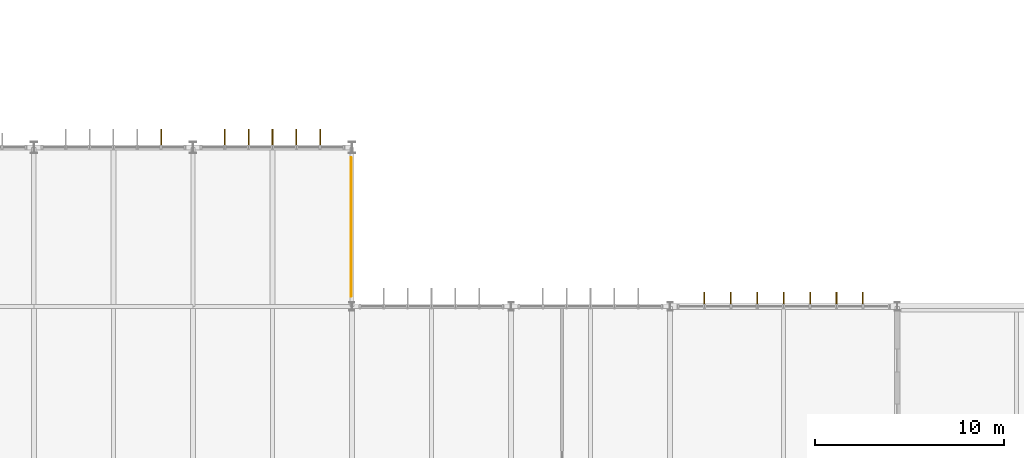
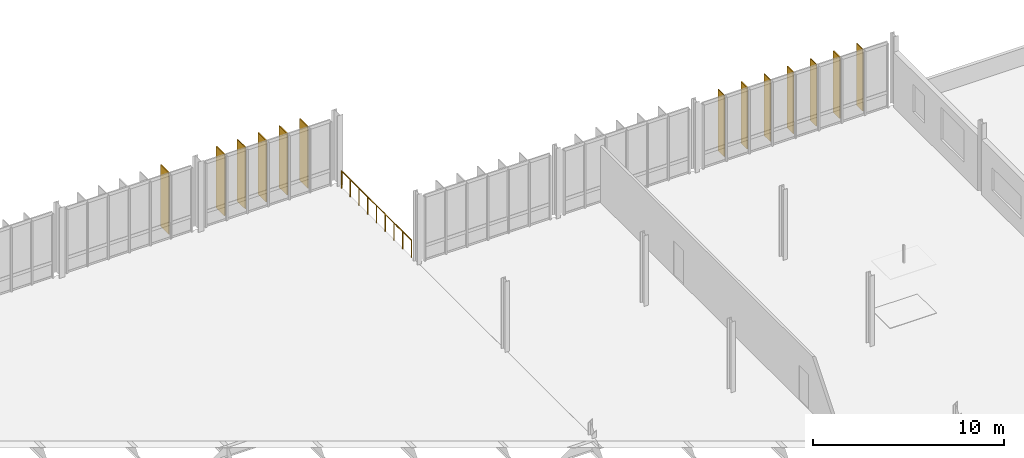
# One storey, part 139 of 139: 13 shading devices, 4 railings.
"""IFC4 building model written with IfcOpenShell, lengths in metres."""

from ifc_helpers import new_model, si_unit, derived_unit, direction, frame, origin, origin_2d, place, context, subcontext, project, spatial, rectangle, circle, extrude, material, layer, layer_set, type_object, element, save


model = new_model("IFC4")

# Units and contexts
model_context = context("Model", 3, precision=1e-05, world=origin(), true_north=direction((0.0, 1.0)))
body_context = subcontext(model_context, "Body", "Model", "MODEL_VIEW")
ifc_project = project(units=[si_unit("LENGTHUNIT", "METRE"), si_unit("AREAUNIT", "SQUARE_METRE"), si_unit("VOLUMEUNIT", "CUBIC_METRE"), si_unit("PLANEANGLEUNIT", "RADIAN"), si_unit("MASSUNIT", "GRAM", prefix="KILO"), derived_unit("THERMALTRANSMITTANCEUNIT", [(si_unit("MASSUNIT", "GRAM", prefix="KILO"), 1), (si_unit("TIMEUNIT", "SECOND"), -3), (si_unit("THERMODYNAMICTEMPERATUREUNIT", "KELVIN"), -1)])], contexts=[model_context])

# Site, building, storey
site_placement = place(None, origin())
site = spatial("IfcSite", under=ifc_project, at=site_placement, CompositionType="ELEMENT")
building_placement = place(site_placement, origin())
building = spatial("IfcBuilding", under=site, at=building_placement, Name="Makaiwela Harbour Ferry Terminal", CompositionType="ELEMENT")
storey_placement = place(building_placement, frame((0.0, 0.0, 5.10009765625)))
storey = spatial("IfcBuildingStorey", under=building, at=storey_placement, Name="L01", CompositionType="ELEMENT", Elevation=5.10009765625)

# Shading devices
ifc_material_1 = material(Name="Marine anodised aluminium 6063-T6", Category="aluminium")
ifc_layer_1 = layer(ifc_material_1, 0.054931640625)
ifc_layer_set_1 = layer_set([ifc_layer_1], Name="Marine anodised aluminium 6063-T6")
shading_device_type_1 = type_object("IfcShadingDeviceType", Name="ENV-FIN-650", PredefinedType="USERDEFINED", material=ifc_layer_set_1)
for number, where, z_axis, x_axis, name in (
    (1, (157.215087890625, 95.43798828125, 0.161865234375), (0.0, 0.0, 1.0), (0.0, 1.0, 0.0), "Vertical Solar Fin SFN-0485"),
    (2, (158.610107421875, 95.43798828125, 0.161865234375), (0.0, 0.0, 1.0), (0.0, 1.0, 0.0), "Vertical Solar Fin SFN-0486"),
    (3, (160.0048828125, 95.43798828125, 0.161865234375), (0.0, 0.0, 1.0), (0.0, 1.0, 0.0), "Vertical Solar Fin SFN-0487"),
    (4, (161.39990234375, 95.43798828125, 0.161865234375), (0.0, 0.0, 1.0), (0.0, 1.0, 0.0), "Vertical Solar Fin SFN-0488"),
    (5, (162.794921875, 95.43798828125, 0.161865234375), (0.0, 0.0, 1.0), (0.0, 1.0, 0.0), "Vertical Solar Fin SFN-0489"),
    (6, (164.18994140625, 95.43798828125, 0.161865234375), (0.0, 0.0, 1.0), (0.0, 1.0, 0.0), "Vertical Solar Fin SFN-0490"),
    (7, (165.5849609375, 95.43798828125, 0.161865234375), (0.0, 0.0, 1.0), (0.0, 1.0, 0.0), "Vertical Solar Fin SFN-0491"),
):
    element("IfcShadingDevice", number, at=place(storey_placement, frame(where, z_axis=z_axis, x_axis=x_axis)), inside=storey, type_object=shading_device_type_1, Name=name, ObjectType="SOLAR FIN", PredefinedType="USERDEFINED", context=body_context, shape_type="SweptSolid", body=[
        extrude(rectangle(XDim=0.64990234375, YDim=0.054931640625, at=origin_2d()), origin(), (0.0, 0.0, 1.0), 3.93994140625),
    ])
ifc_material_2 = material(Name="Thermally modified Accoya timber and anodised aluminium", Category="wood")
ifc_layer_2 = layer(ifc_material_2, 0.06005859375)
ifc_layer_set_2 = layer_set([ifc_layer_2], Name="Thermally modified Accoya timber and anodised aluminium")
shading_device_type_2 = type_object("IfcShadingDeviceType", Name="ENV-FIN-850", PredefinedType="USERDEFINED", material=ifc_layer_set_2)
for number, where, z_axis, x_axis, name in (
    (8, (128.52001953125, 103.93798828125, 0.161865234375), (0.0, 0.0, 1.0), (0.0, 1.0, 0.0), "Vertical Solar Fin SFN-0297"),
    (9, (131.8798828125, 103.93798828125, 0.161865234375), (0.0, 0.0, 1.0), (0.0, 1.0, 0.0), "Vertical Solar Fin SFN-0308"),
    (10, (133.139892578125, 103.93798828125, 0.161865234375), (0.0, 0.0, 1.0), (0.0, 1.0, 0.0), "Vertical Solar Fin SFN-0309"),
    (11, (134.39990234375, 103.93798828125, 0.161865234375), (0.0, 0.0, 1.0), (0.0, 1.0, 0.0), "Vertical Solar Fin SFN-0310"),
    (12, (135.659912109375, 103.93798828125, 0.161865234375), (0.0, 0.0, 1.0), (0.0, 1.0, 0.0), "Vertical Solar Fin SFN-0311"),
    (13, (136.919921875, 103.93798828125, 0.161865234375), (0.0, 0.0, 1.0), (0.0, 1.0, 0.0), "Vertical Solar Fin SFN-0312"),
):
    element("IfcShadingDevice", number, at=place(storey_placement, frame(where, z_axis=z_axis, x_axis=x_axis)), inside=storey, type_object=shading_device_type_2, Name=name, ObjectType="SOLAR FIN", PredefinedType="USERDEFINED", context=body_context, shape_type="SweptSolid", body=[
        extrude(rectangle(XDim=0.85009765625, YDim=0.06005859375, at=origin_2d()), origin(), (0.0, 0.0, 1.0), 3.93994140625),
    ])

# Railings
ifc_material_3 = material(Name="Marine grade 316L brushed stainless steel", Category="steel")
railing_type = type_object("IfcRailingType", Name="INT-RL-GRD110", PredefinedType="GUARDRAIL", material=ifc_material_3)
for number, where, name in (
    (14, (138.554931640625, 102.852294921875, 0.0), "Deck edge guardrail RL-0321"),
    (15, (138.554931640625, 101.026123046875, 0.0), "Deck edge guardrail RL-0322"),
    (16, (138.554931640625, 99.199951171875, 0.0), "Deck edge guardrail RL-0323"),
):
    element("IfcRailing", number, at=place(storey_placement, frame(where)), inside=storey, type_object=railing_type, Name=name, PredefinedType="GUARDRAIL", context=body_context, shape_type="SweptSolid", body=[
        extrude(circle(Radius=0.02392578125, at=origin_2d()), frame((0.0, 0.0, 1.09619140625), z_axis=(0.0, -1.0, 0.0), x_axis=(1.0, 0.0, 0.0)), (0.0, 0.0, 1.0), 1.826171875),
        extrude(circle(Radius=0.02099609375, at=origin_2d()), origin(), (0.0, 0.0, 1.0), 1.072021484375),
        extrude(circle(Radius=0.02099609375, at=origin_2d()), frame((0.0, -0.9130859375, 0.0)), (0.0, 0.0, 1.0), 1.072021484375),
        extrude(circle(Radius=0.02099609375, at=origin_2d()), frame((0.0, -1.826171875, 0.0)), (0.0, 0.0, 1.0), 1.072021484375),
    ])
railing_placement = place(storey_placement, frame((138.554931640625, 97.373779296875, 0.0)))
element("IfcRailing", 17, at=railing_placement, inside=storey, type_object=railing_type, Name="Deck edge guardrail RL-0324", PredefinedType="GUARDRAIL", context=body_context, shape_type="SweptSolid", body=[
    extrude(circle(Radius=0.02392578125, at=origin_2d()), frame((0.0, 0.0, 1.09619140625), z_axis=(0.0, -1.0, 0.0), x_axis=(1.0, 0.0, 0.0)), (0.0, 0.0, 1.0), 1.825927734375),
    extrude(circle(Radius=0.02099609375, at=origin_2d()), origin(), (0.0, 0.0, 1.0), 1.072021484375),
    extrude(circle(Radius=0.02099609375, at=origin_2d()), frame((0.0, -0.9130859375, 0.0)), (0.0, 0.0, 1.0), 1.072021484375),
    extrude(circle(Radius=0.02099609375, at=origin_2d()), frame((0.0, -1.825927734375, 0.0)), (0.0, 0.0, 1.0), 1.072021484375),
])

save(model, "model.ifc")
